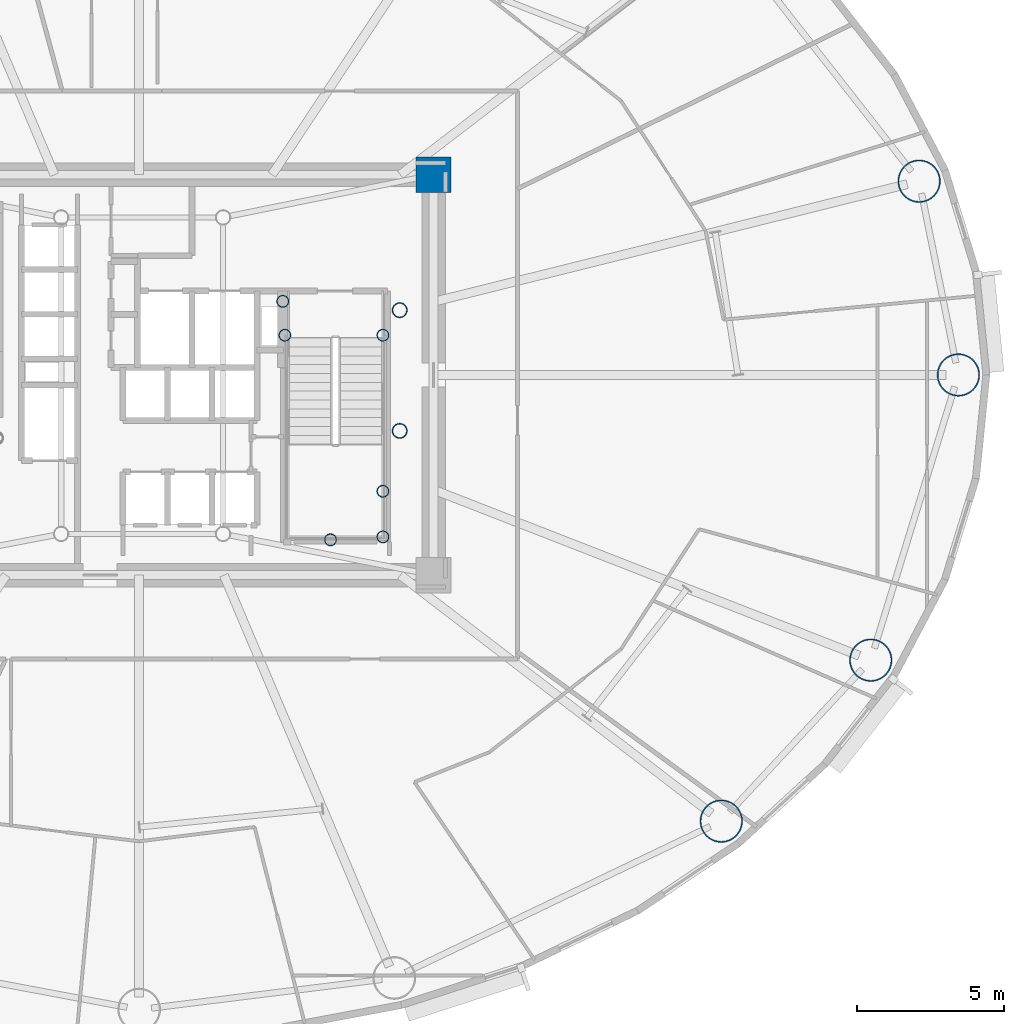
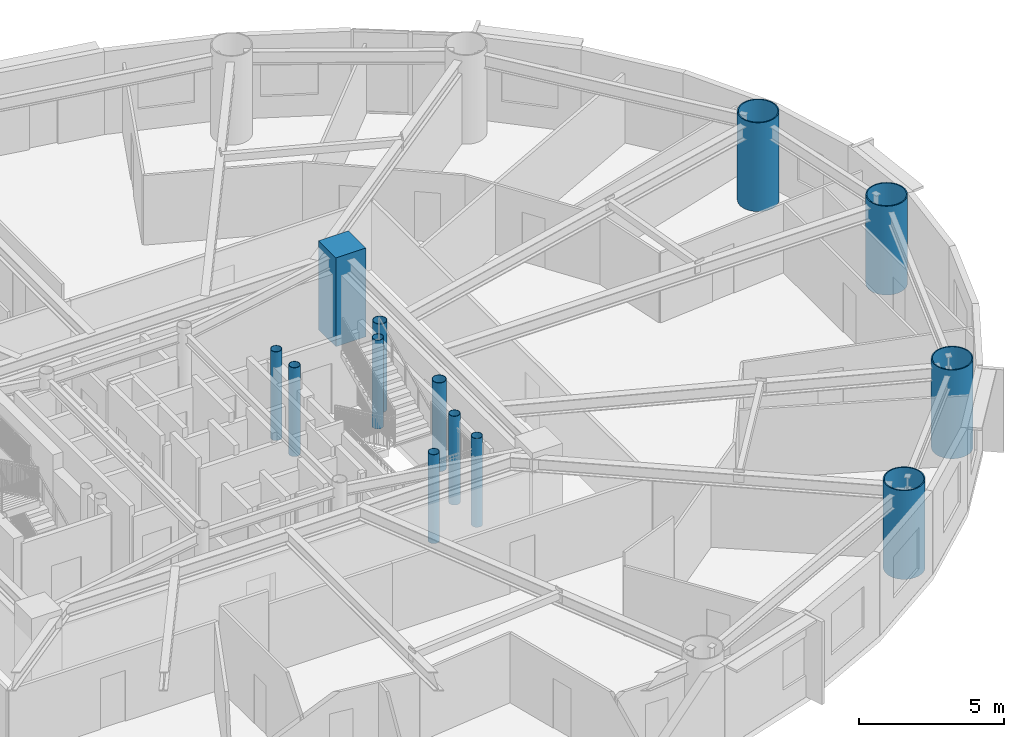
# One storey, part 2 of 21: 13 columns.
"""IFC4 building model written with IfcOpenShell, lengths in metres."""

from ifc_helpers import new_model, si_unit, direction, frame, origin, origin_2d, place, context, subcontext, project, spatial, rectangle, hollow_circle, extrude, material, material_profile, profile_set, type_object, element, save


model = new_model("IFC4")

# Units and contexts
model_context = context("Model", 3, precision=1e-05, world=origin(), true_north=direction((0.0, 1.0)))
body_context = subcontext(model_context, "Body", "Model", "MODEL_VIEW")
ifc_project = project(units=[si_unit("LENGTHUNIT", "METRE"), si_unit("AREAUNIT", "SQUARE_METRE"), si_unit("VOLUMEUNIT", "CUBIC_METRE"), si_unit("PLANEANGLEUNIT", "RADIAN"), si_unit("MASSUNIT", "GRAM", prefix="KILO")], contexts=[model_context])

# Site, building, storey
site_placement = place(None, origin())
site = spatial("IfcSite", under=ifc_project, at=site_placement, CompositionType="ELEMENT")
building_placement = place(site_placement, origin())
building = spatial("IfcBuilding", under=site, at=building_placement, Name="Linh Dai School and Residence Tower", CompositionType="ELEMENT")
storey_placement = place(building_placement, frame((0.0, 0.0, 134.699951171875)))
storey = spatial("IfcBuildingStorey", under=building, at=storey_placement, Name="L32", CompositionType="ELEMENT", Elevation=134.699951171875)

# Columns
ifc_material_1 = material(Name="Concrete B60 (C50/60)", Category="concrete")
ifc_material_profile_1 = material_profile(ifc_material_1, rectangle(XDim=1.199951171875, YDim=1.199951171875, at=origin_2d()), Name="RC 1200x1200")
ifc_profile_set_1 = profile_set([ifc_material_profile_1], Name="Concrete B60 (C50/60)")
column_type_1 = type_object("IfcColumnType", Name="COL-CC2", PredefinedType="COLUMN", material=ifc_profile_set_1)
column_placement = place(storey_placement, frame((46.0, 33.800048828125, 0.0), z_axis=(0.0, 0.0, 1.0), x_axis=(1.0, 0.0, 0.0)))
element("IfcColumn", 1, at=column_placement, inside=storey, type_object=column_type_1, Name="L32 Core Corner Pier CC3", PredefinedType="COLUMN", context=body_context, shape_type="SweptSolid", body=[
    extrude(rectangle(XDim=1.199951171875, YDim=1.199951171875, at=origin_2d()), origin(), (0.0, 0.0, 1.0), 3.75),
])
ifc_material_2 = material(Name="Structural Steel S355JR", Category="steel")
ifc_material_profile_2 = material_profile(ifc_material_2, hollow_circle(Radius=0.203125, WallThickness=0.01611328125, at=origin_2d()), Name="CHS 406.4x16")
ifc_profile_set_2 = profile_set([ifc_material_profile_2], Name="Structural Steel S355JR")
column_type_2 = type_object("IfcColumnType", Name="COL-EC", PredefinedType="COLUMN", material=ifc_profile_set_2)
for number, where, z_axis, x_axis, name in (
    (2, (44.280029296875, 21.5, 0.0), (0.0, 0.0, 1.0), (1.0, 0.0, 0.0), "L32 Stair Shaft Landing Support Pier ST2SE"),
    (3, (44.280029296875, 23.050048828125, 0.0), (0.0, 0.0, 1.0), (1.0, 0.0, 0.0), "L32 Stair Shaft Landing Support Pier ST2NE"),
    (4, (42.5, 21.39990234375, 0.0), (0.0, 0.0, 1.0), (1.0, 0.0, 0.0), "L32 Stair Shaft Landing Support Pier ST2MS"),
    (5, (40.949951171875, 28.35009765625, 0.0), (0.0, 0.0, 1.0), (1.0, 0.0, 0.0), "L32 Stair Shaft Landing Support Pier ST2N1"),
    (6, (44.280029296875, 28.35009765625, 0.0), (0.0, 0.0, 1.0), (1.0, 0.0, 0.0), "L32 Stair Shaft Landing Support Pier ST2N2"),
    (7, (40.8798828125, 29.5, 0.0), (0.0, 0.0, 1.0), (1.0, 0.0, 0.0), "L32 Stair Shaft Landing Support Pier ST2N3"),
):
    element("IfcColumn", number, at=place(storey_placement, frame(where, z_axis=z_axis, x_axis=x_axis)), inside=storey, type_object=column_type_2, Name=name, PredefinedType="COLUMN", context=body_context, shape_type="SweptSolid", body=[
        extrude(hollow_circle(Radius=0.203125, WallThickness=0.01611328125, at=origin_2d()), origin(), (0.0, 0.0, 1.0), 3.75),
    ])
ifc_material_profile_3 = material_profile(ifc_material_2, hollow_circle(Radius=0.72509765625, WallThickness=0.0419921875, at=origin_2d()), Name="CHS 1450x42")
ifc_profile_set_3 = profile_set([ifc_material_profile_3], Name="Structural Steel S355JR")
column_type_3 = type_object("IfcColumnType", Name="COL-MC3", PredefinedType="COLUMN", material=ifc_profile_set_3)
for number, where, z_axis, x_axis, name in (
    (8, (63.824951171875, 27.0, 0.0), (0.0, 0.0, 1.0), (1.0, 0.0, 0.0), "L32 Perimeter CFT Mega-Column MC01"),
    (9, (62.49267578125, 33.5810546875, 0.0), (0.0, 0.0, 1.0), (1.0, 0.0, 0.0), "L32 Perimeter CFT Mega-Column MC02"),
    (10, (55.772705078125, 11.844482421875, 0.0), (0.0, 0.0, 1.0), (1.0, 0.0, 0.0), "L32 Perimeter CFT Mega-Column MC15"),
    (11, (60.84912109375, 17.3125, 0.0), (0.0, 0.0, 1.0), (1.0, 0.0, 0.0), "L32 Perimeter CFT Mega-Column MC16"),
):
    element("IfcColumn", number, at=place(storey_placement, frame(where, z_axis=z_axis, x_axis=x_axis)), inside=storey, type_object=column_type_3, Name=name, PredefinedType="COLUMN", context=body_context, shape_type="SweptSolid", body=[
        extrude(hollow_circle(Radius=0.72509765625, WallThickness=0.0419921875, at=origin_2d()), origin(), (0.0, 0.0, 1.0), 3.75),
    ])
ifc_material_profile_4 = material_profile(ifc_material_2, hollow_circle(Radius=0.25390625, WallThickness=0.02001953125, at=origin_2d()), Name="CHS 508x20")
ifc_profile_set_4 = profile_set([ifc_material_profile_4], Name="Structural Steel S355JR")
column_type_4 = type_object("IfcColumnType", Name="COL-MCP", PredefinedType="COLUMN", material=ifc_profile_set_4)
for number, where, z_axis, x_axis, name in (
    (12, (44.85009765625, 25.10009765625, 0.0), (0.0, 0.0, 1.0), (1.0, 0.0, 0.0), "L32 Sky-Lounge Core Anchor Pier S"),
    (13, (44.85009765625, 29.199951171875, 0.0), (0.0, 0.0, 1.0), (1.0, 0.0, 0.0), "L32 Sky-Lounge Core Anchor Pier N"),
):
    element("IfcColumn", number, at=place(storey_placement, frame(where, z_axis=z_axis, x_axis=x_axis)), inside=storey, type_object=column_type_4, Name=name, PredefinedType="COLUMN", context=body_context, shape_type="SweptSolid", body=[
        extrude(hollow_circle(Radius=0.25390625, WallThickness=0.02001953125, at=origin_2d()), origin(), (0.0, 0.0, 1.0), 3.75),
    ])

save(model, "model.ifc")
